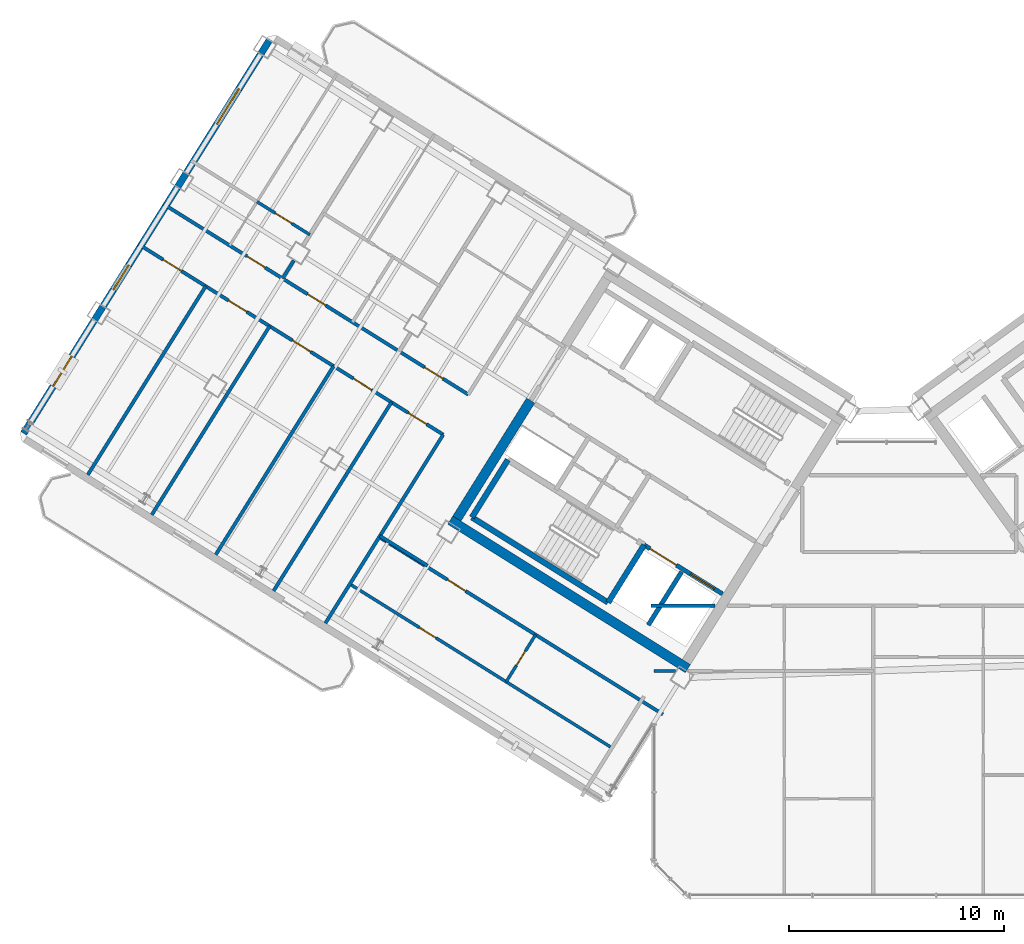
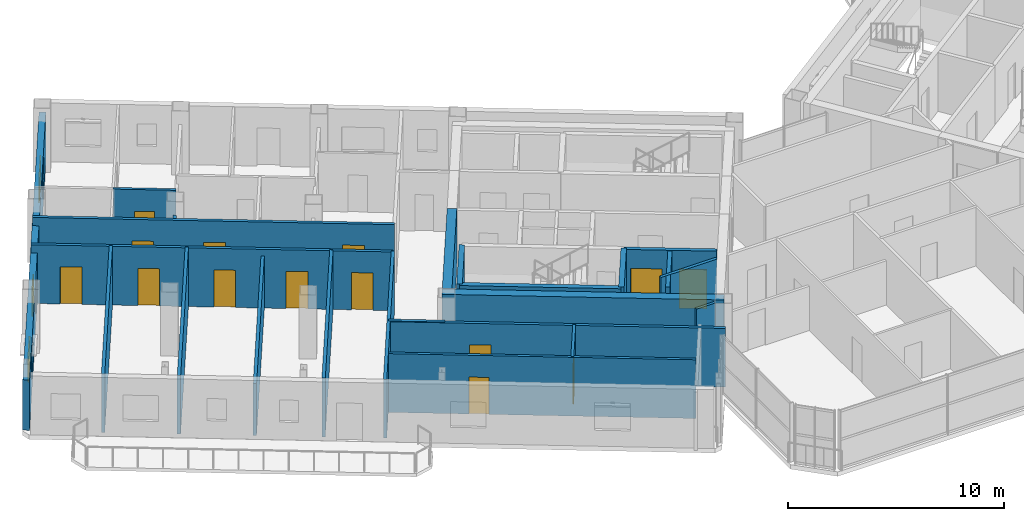
# One storey, part 16 of 27: 23 walls, 14 doors, 3 windows, 17 openings.
"""IFC4 building model written with IfcOpenShell, lengths in metres."""

from ifc_helpers import new_model, si_unit, direction, frame, frame_2d, origin, place, context, subcontext, project, spatial, rectangle, extrude, source, transform, mapped, material, layer, layer_set, type_object, element, fill, save


model = new_model("IFC4")

# Units and contexts
model_context = context("Model", 3, precision=1e-05, world=origin(), true_north=direction((0.0, 1.0)))
body_context = subcontext(model_context, "Body", "Model", "MODEL_VIEW")
ifc_project = project(units=[si_unit("LENGTHUNIT", "METRE"), si_unit("AREAUNIT", "SQUARE_METRE"), si_unit("VOLUMEUNIT", "CUBIC_METRE"), si_unit("PLANEANGLEUNIT", "RADIAN"), si_unit("MASSUNIT", "GRAM", prefix="KILO")], contexts=[model_context])

# Site, building, storey
site_placement = place(None, origin())
site = spatial("IfcSite", under=ifc_project, at=site_placement, CompositionType="ELEMENT")
building_placement = place(site_placement, origin())
building = spatial("IfcBuilding", under=site, at=building_placement, Name="Tlacorven Tower", CompositionType="ELEMENT")
storey_placement = place(building_placement, frame((0.0, 0.0, 242.10009765625)))
storey = spatial("IfcBuildingStorey", under=building, at=storey_placement, Name="L61", CompositionType="ELEMENT", Elevation=242.10009765625)

# Walls
ifc_material_1 = material(Name="Concrete C50/60", Category="concrete")
ifc_layer_1 = layer(ifc_material_1, 0.449951171875)
ifc_layer_set_1 = layer_set([ifc_layer_1], Name="Concrete C50/60")
wall_type_1 = type_object("IfcWallType", Name="WL-COR-450", PredefinedType="SHEAR", material=ifc_layer_set_1)
wall_1_placement = place(storey_placement, frame((33.32373046875, 12.5029296875, 0.0), z_axis=(0.0, 0.0, 1.0), x_axis=(-0.848043529849, 0.529926571782, 0.0)))
element("IfcWall", 1, at=wall_1_placement, inside=storey, type_object=wall_type_1, Name="L61 W core shear wall S2", PredefinedType="SHEAR", context=body_context, shape_type="SweptSolid", body=[
    extrude(rectangle(XDim=13.039794921875, YDim=0.449951171875, at=frame_2d((6.52001953125, 0.0))), origin(), (0.0, 0.0, 1.0), 3.31982421875),
])
wall_2_placement = place(storey_placement, frame((26.006591796875, 24.975830078125, 0.0), z_axis=(0.0, 0.0, 1.0), x_axis=(-0.529931155655, -0.848040665456, 0.0)))
element("IfcWall", 2, at=wall_2_placement, inside=storey, type_object=wall_type_1, Name="L61 W core end wall E2.2", PredefinedType="SHEAR", context=body_context, shape_type="SweptSolid", body=[
    extrude(rectangle(XDim=6.47509765625, YDim=0.449951171875, at=frame_2d((3.237548828125, 0.0))), origin(), (0.0, 0.0, 1.0), 3.31982421875),
])
ifc_material_2 = material(Name="Gypsum plasterboard acoustic partition", Category="gypsum")
ifc_layer_2 = layer(ifc_material_2, 0.159912109375)
ifc_layer_set_2 = layer_set([ifc_layer_2], Name="Gypsum plasterboard acoustic partition")
wall_type_2 = type_object("IfcWallType", Name="WL-DEM-160", PredefinedType="PARTITIONING", material=ifc_layer_set_2)
wall_3_placement = place(storey_placement, frame((21.20556640625, 17.29248046875, 0.0), z_axis=(0.0, 0.0, 1.0), x_axis=(-0.848050851465, 0.529914854792, 0.0)))
element("IfcWall", 3, at=wall_3_placement, inside=storey, type_object=wall_type_2, Name="L61 partition 39", PredefinedType="PARTITIONING", context=body_context, shape_type="SweptSolid", body=[
    extrude(rectangle(XDim=2.60986328125, YDim=0.159912109375, at=frame_2d((1.304931640625, 0.0))), origin(), (0.0, 0.0, 1.0), 3.309814453125),
])
wall_4_placement = place(storey_placement, frame((21.9384765625, 23.390625, 0.0), z_axis=(0.0, 0.0, 1.0), x_axis=(-0.529924725692, -0.848044683434, 0.0)))
element("IfcWall", 4, at=wall_4_placement, inside=storey, type_object=wall_type_2, Name="L61 partition 41", PredefinedType="PARTITIONING", context=body_context, shape_type="SweptSolid", body=[
    extrude(rectangle(XDim=10.349853515625, YDim=0.159912109375, at=frame_2d((5.1748046875, 0.0))), origin(), (0.0, 0.0, 1.0), 3.309814453125),
])

# Wall, openings, doors
wall_5_placement = place(storey_placement, frame((23.104248046875, 25.25634765625, 0.0), z_axis=(0.0, 0.0, 1.0), x_axis=(-0.848041752158, 0.529929416617, 0.0)))
wall_5 = element("IfcWall", 5, at=wall_5_placement, inside=storey, type_object=wall_type_2, Name="L61 Wing W Corridor South Wall", PredefinedType="PARTITIONING", context=body_context, shape_type="SweptSolid", body=[
    extrude(rectangle(XDim=16.72998046875, YDim=0.159912109375, at=frame_2d((8.364990234375, 0.0))), origin(), (0.0, 0.0, 1.0), 3.309814453125),
])
opening_1_placement = place(wall_5_placement, frame((1.39501953125, 0.0, 0.0)))
opening_1 = element("IfcOpeningElement", 6, at=opening_1_placement, cuts=wall_5, Name="Opening D11", PredefinedType="OPENING", context=body_context, shape_type="SweptSolid", body=[
    extrude(rectangle(XDim=1.0, YDim=2.10009765625, at=frame_2d((0.5, 1.050048828125))), frame((0.0, 0.08984375, 0.0), z_axis=(0.0, -1.0, 0.0), x_axis=(1.0, 0.0, 0.0)), (0.0, 0.0, 1.0), 0.179931640625),
])
opening_2_placement = place(wall_5_placement, frame((7.820068359375, 0.0, 0.0)))
opening_2 = element("IfcOpeningElement", 7, at=opening_2_placement, cuts=wall_5, Name="Opening D11", PredefinedType="OPENING", context=body_context, shape_type="SweptSolid", body=[
    extrude(rectangle(XDim=1.0, YDim=2.10009765625, at=frame_2d((0.5, 1.050048828125))), frame((0.0, 0.08984375, 0.0), z_axis=(0.0, -1.0, 0.0), x_axis=(1.0, 0.0, 0.0)), (0.0, 0.0, 1.0), 0.179931640625),
])
opening_3_placement = place(wall_5_placement, frame((11.139892578125, 0.0, 0.0)))
opening_3 = element("IfcOpeningElement", 8, at=opening_3_placement, cuts=wall_5, Name="Opening D11", PredefinedType="OPENING", context=body_context, shape_type="SweptSolid", body=[
    extrude(rectangle(XDim=1.0, YDim=2.10009765625, at=frame_2d((0.5, 1.050048828125))), frame((0.0, 0.08984375, 0.0), z_axis=(0.0, -1.0, 0.0), x_axis=(1.0, 0.0, 0.0)), (0.0, 0.0, 1.0), 0.179931640625),
])
ifc_material_3 = material(Name="Fire-rated steel door assembly", Category="steel")
door_type_1 = type_object("IfcDoorType", Name="DR-FLT-FD60-1000", OperationType="NOTDEFINED", PredefinedType="DOOR", material=ifc_material_3)
shared_shape_1 = source(origin(), body_context, "Body", "SweptSolid", [
    extrude(rectangle(XDim=1.0, YDim=2.10009765625, at=frame_2d((0.5, 1.050048828125))), frame((0.0, 0.02490234375, 0.0), z_axis=(0.0, -1.0, 0.0), x_axis=(1.0, 0.0, 0.0)), (0.0, 0.0, 1.0), 0.050048828125),
])
door_1_placement = place(opening_1_placement, origin())
door_1 = element("IfcDoor", 9, at=door_1_placement, inside=storey, type_object=door_type_1, Name="L61 door 028", OperationType="SINGLE_SWING_RIGHT", OverallHeight=2.10009765625, OverallWidth=1.0, PredefinedType="DOOR", context=body_context, shape_type="MappedRepresentation", body=[
    mapped(shared_shape_1, transform((0.0, 0.0, 0.0), scale=1.0)),
])
fill(opening_1, door_1)
door_2_placement = place(opening_2_placement, origin())
door_2 = element("IfcDoor", 10, at=door_2_placement, inside=storey, type_object=door_type_1, Name="L61 door 031", OperationType="SINGLE_SWING_LEFT", OverallHeight=2.10009765625, OverallWidth=1.0, PredefinedType="DOOR", context=body_context, shape_type="MappedRepresentation", body=[
    mapped(shared_shape_1, transform((0.0, 0.0, 0.0), scale=1.0)),
])
fill(opening_2, door_2)
door_3_placement = place(opening_3_placement, origin())
door_3 = element("IfcDoor", 11, at=door_3_placement, inside=storey, type_object=door_type_1, Name="L61 door 035", OperationType="SINGLE_SWING_LEFT", OverallHeight=2.10009765625, OverallWidth=1.0, PredefinedType="DOOR", context=body_context, shape_type="MappedRepresentation", body=[
    mapped(shared_shape_1, transform((0.0, 0.0, 0.0), scale=1.0)),
])
fill(opening_3, door_3)

wall_6_placement = place(storey_placement, frame((21.9384765625, 23.390625, 0.0), z_axis=(0.0, 0.0, 1.0), x_axis=(-0.848045850158, 0.529922858565, 0.0)))
wall_6 = element("IfcWall", 12, at=wall_6_placement, inside=storey, type_object=wall_type_2, Name="L61 Wing W Corridor North Wall", PredefinedType="PARTITIONING", context=body_context, shape_type="SweptSolid", body=[
    extrude(rectangle(XDim=16.730224609375, YDim=0.159912109375, at=frame_2d((8.365234375, 0.0))), origin(), (0.0, 0.0, 1.0), 3.309814453125),
])
opening_4_placement = place(wall_6_placement, frame((0.92041015625, 0.0, 0.0)))
opening_4 = element("IfcOpeningElement", 13, at=opening_4_placement, cuts=wall_6, Name="Opening D11", PredefinedType="OPENING", context=body_context, shape_type="SweptSolid", body=[
    extrude(rectangle(XDim=1.0, YDim=2.10009765625, at=frame_2d((0.5, 1.050048828125))), frame((0.0, 0.08984375, 0.0), z_axis=(0.0, -1.0, 0.0), x_axis=(1.0, 0.0, 0.0)), (0.0, 0.0, 1.0), 0.179931640625),
])
opening_5_placement = place(wall_6_placement, frame((3.928466796875, 0.0, 0.0)))
opening_5 = element("IfcOpeningElement", 14, at=opening_5_placement, cuts=wall_6, Name="Opening D11", PredefinedType="OPENING", context=body_context, shape_type="SweptSolid", body=[
    extrude(rectangle(XDim=1.0, YDim=2.10009765625, at=frame_2d((0.5, 1.050048828125))), frame((0.0, 0.08984375, 0.0), z_axis=(0.0, -1.0, 0.0), x_axis=(1.0, 0.0, 0.0)), (0.0, 0.0, 1.0), 0.179931640625),
])
opening_6_placement = place(wall_6_placement, frame((7.2705078125, 0.0, 0.0)))
opening_6 = element("IfcOpeningElement", 15, at=opening_6_placement, cuts=wall_6, Name="Opening D11", PredefinedType="OPENING", context=body_context, shape_type="SweptSolid", body=[
    extrude(rectangle(XDim=1.0, YDim=2.10009765625, at=frame_2d((0.5, 1.050048828125))), frame((0.0, 0.08984375, 0.0), z_axis=(0.0, -1.0, 0.0), x_axis=(1.0, 0.0, 0.0)), (0.0, 0.0, 1.0), 0.179931640625),
])
opening_7_placement = place(wall_6_placement, frame((10.779541015625, 0.0, 0.0)))
opening_7 = element("IfcOpeningElement", 16, at=opening_7_placement, cuts=wall_6, Name="Opening D11", PredefinedType="OPENING", context=body_context, shape_type="SweptSolid", body=[
    extrude(rectangle(XDim=1.0, YDim=2.10009765625, at=frame_2d((0.5, 1.050048828125))), frame((0.0, 0.08984375, 0.0), z_axis=(0.0, -1.0, 0.0), x_axis=(1.0, 0.0, 0.0)), (0.0, 0.0, 1.0), 0.179931640625),
])
opening_8_placement = place(wall_6_placement, frame((14.3720703125, 0.0, 0.0)))
opening_8 = element("IfcOpeningElement", 17, at=opening_8_placement, cuts=wall_6, Name="Opening D11", PredefinedType="OPENING", context=body_context, shape_type="SweptSolid", body=[
    extrude(rectangle(XDim=1.0, YDim=2.10009765625, at=frame_2d((0.5, 1.050048828125))), frame((0.0, 0.08984375, 0.0), z_axis=(0.0, -1.0, 0.0), x_axis=(1.0, 0.0, 0.0)), (0.0, 0.0, 1.0), 0.179931640625),
])
door_4_placement = place(opening_4_placement, origin())
door_4 = element("IfcDoor", 18, at=door_4_placement, inside=storey, type_object=door_type_1, Name="L61 door 023", OperationType="SINGLE_SWING_LEFT", OverallHeight=2.10009765625, OverallWidth=1.0, PredefinedType="DOOR", context=body_context, shape_type="MappedRepresentation", body=[
    mapped(shared_shape_1, transform((0.0, 0.0, 0.0), scale=1.0)),
])
fill(opening_4, door_4)
door_5_placement = place(opening_5_placement, origin())
door_5 = element("IfcDoor", 19, at=door_5_placement, inside=storey, type_object=door_type_1, Name="L61 door 024", OperationType="SINGLE_SWING_RIGHT", OverallHeight=2.10009765625, OverallWidth=1.0, PredefinedType="DOOR", context=body_context, shape_type="MappedRepresentation", body=[
    mapped(shared_shape_1, transform((0.0, 0.0, 0.0), scale=1.0)),
])
fill(opening_5, door_5)
door_6_placement = place(opening_6_placement, origin())
door_6 = element("IfcDoor", 20, at=door_6_placement, inside=storey, type_object=door_type_1, Name="L61 door 025", OperationType="SINGLE_SWING_LEFT", OverallHeight=2.10009765625, OverallWidth=1.0, PredefinedType="DOOR", context=body_context, shape_type="MappedRepresentation", body=[
    mapped(shared_shape_1, transform((0.0, 0.0, 0.0), scale=1.0)),
])
fill(opening_6, door_6)
door_7_placement = place(opening_7_placement, origin())
door_7 = element("IfcDoor", 21, at=door_7_placement, inside=storey, type_object=door_type_1, Name="L61 door 026", OperationType="SINGLE_SWING_RIGHT", OverallHeight=2.10009765625, OverallWidth=1.0, PredefinedType="DOOR", context=body_context, shape_type="MappedRepresentation", body=[
    mapped(shared_shape_1, transform((0.0, 0.0, 0.0), scale=1.0)),
])
fill(opening_7, door_7)
door_8_placement = place(opening_8_placement, origin())
door_8 = element("IfcDoor", 22, at=door_8_placement, inside=storey, type_object=door_type_1, Name="L61 door 027", OperationType="SINGLE_SWING_LEFT", OverallHeight=2.10009765625, OverallWidth=1.0, PredefinedType="DOOR", context=body_context, shape_type="MappedRepresentation", body=[
    mapped(shared_shape_1, transform((0.0, 0.0, 0.0), scale=1.0)),
])
fill(opening_8, door_8)

# Walls
wall_7_placement = place(storey_placement, frame((19.529052734375, 24.896240234375, 0.0), z_axis=(0.0, 0.0, 1.0), x_axis=(-0.529914125013, -0.848051307476, 0.0)))
element("IfcWall", 23, at=wall_7_placement, inside=storey, type_object=wall_type_2, Name="L61 partition 45", PredefinedType="PARTITIONING", context=body_context, shape_type="SweptSolid", body=[
    extrude(rectangle(XDim=10.35009765625, YDim=0.159912109375, at=frame_2d((5.175048828125, 0.0))), origin(), (0.0, 0.0, 1.0), 3.309814453125),
])
wall_8_placement = place(storey_placement, frame((16.836669921875, 26.57861328125, 0.0), z_axis=(0.0, 0.0, 1.0), x_axis=(-0.529941690036, -0.848034082547, 0.0)))
element("IfcWall", 24, at=wall_8_placement, inside=storey, type_object=wall_type_2, Name="L61 partition 46", PredefinedType="PARTITIONING", context=body_context, shape_type="SweptSolid", body=[
    extrude(rectangle(XDim=10.349853515625, YDim=0.159912109375, at=frame_2d((5.1748046875, 0.0))), origin(), (0.0, 0.0, 1.0), 2.934814453125),
])
wall_9_placement = place(storey_placement, frame((13.86083984375, 28.438232421875, 0.0), z_axis=(0.0, 0.0, 1.0), x_axis=(-0.529931089283, -0.848040706931, 0.0)))
element("IfcWall", 25, at=wall_9_placement, inside=storey, type_object=wall_type_2, Name="L61 partition 47", PredefinedType="PARTITIONING", context=body_context, shape_type="SweptSolid", body=[
    extrude(rectangle(XDim=10.35009765625, YDim=0.159912109375, at=frame_2d((5.175048828125, 0.0))), origin(), (0.0, 0.0, 1.0), 3.309814453125),
])
wall_10_placement = place(storey_placement, frame((10.885009765625, 30.297607421875, 0.0), z_axis=(0.0, 0.0, 1.0), x_axis=(-0.529924725692, -0.848044683434, 0.0)))
element("IfcWall", 26, at=wall_10_placement, inside=storey, type_object=wall_type_2, Name="L61 partition 48", PredefinedType="PARTITIONING", context=body_context, shape_type="SweptSolid", body=[
    extrude(rectangle(XDim=10.349853515625, YDim=0.159912109375, at=frame_2d((5.1748046875, 0.0))), origin(), (0.0, 0.0, 1.0), 3.309814453125),
])
wall_11_placement = place(storey_placement, frame((14.986083984375, 31.494140625, 0.0), z_axis=(0.0, 0.0, 1.0), x_axis=(-0.529821225456, -0.848109349704, 0.0)))
element("IfcWall", 27, at=wall_11_placement, inside=storey, type_object=wall_type_2, Name="L61 WS Demising Wall 2", PredefinedType="PARTITIONING", context=body_context, shape_type="SweptSolid", body=[
    extrude(rectangle(XDim=0.988037109375, YDim=0.159912109375, at=frame_2d((0.494140625, 0.0))), origin(), (0.0, 0.0, 1.0), 2.844970703125),
])

# Wall, opening, door
wall_12_placement = place(storey_placement, frame((32.164306640625, 10.373779296875, 0.0), z_axis=(0.0, 0.0, 1.0), x_axis=(-0.848044107957, 0.529925646633, 0.0)))
wall_12 = element("IfcWall", 28, at=wall_12_placement, inside=storey, type_object=wall_type_2, Name="L61 partition 59", PredefinedType="PARTITIONING", context=body_context, shape_type="SweptSolid", body=[
    extrude(rectangle(XDim=15.570068359375, YDim=0.159912109375, at=frame_2d((7.78515625, 0.0))), origin(), (0.0, 0.0, 1.0), 3.309814453125),
])
opening_9_placement = place(wall_12_placement, frame((10.830078125, 0.0, 0.0)))
opening_9 = element("IfcOpeningElement", 29, at=opening_9_placement, cuts=wall_12, Name="Opening D11", PredefinedType="OPENING", context=body_context, shape_type="SweptSolid", body=[
    extrude(rectangle(XDim=1.0, YDim=2.10009765625, at=frame_2d((0.5, 1.050048828125))), frame((0.0, 0.08984375, 0.0), z_axis=(0.0, -1.0, 0.0), x_axis=(1.0, 0.0, 0.0)), (0.0, 0.0, 1.0), 0.179931640625),
])
door_9_placement = place(opening_9_placement, origin())
door_9 = element("IfcDoor", 30, at=door_9_placement, inside=storey, type_object=door_type_1, Name="L61 door 039", OperationType="SINGLE_SWING_LEFT", OverallHeight=2.10009765625, OverallWidth=1.0, PredefinedType="DOOR", context=body_context, shape_type="MappedRepresentation", body=[
    mapped(shared_shape_1, transform((0.0, 0.0, 0.0), scale=1.0)),
])
fill(opening_9, door_9)

# Wall
wall_13_placement = place(storey_placement, frame((31.60009765625, 15.419921875, 0.0), z_axis=(0.0, 0.0, 1.0), x_axis=(1.0, 0.0, 0.0)))
element("IfcWall", 31, at=wall_13_placement, inside=storey, type_object=wall_type_2, Name="L61 Knuckle Corridor South Wall", PredefinedType="PARTITIONING", context=body_context, shape_type="SweptSolid", body=[
    extrude(rectangle(XDim=2.984130859375, YDim=0.159912109375, at=frame_2d((1.4921875, 0.0))), origin(), (0.0, 0.0, 1.0), 3.309814453125),
])

# Wall, openings, windows
ifc_material_4 = material(Name="Precast concrete C45/55", Category="concrete")
ifc_layer_3 = layer(ifc_material_4, 0.320068359375)
ifc_layer_set_3 = layer_set([ifc_layer_3], Name="Precast concrete C45/55")
wall_type_3 = type_object("IfcWallType", Name="WL-EXT-320", PredefinedType="STANDARD", material=ifc_layer_set_3)
wall_14_placement = place(storey_placement, frame((2.41455078125, 23.452392578125, 0.0), z_axis=(0.0, 0.0, 1.0), x_axis=(0.52991049553, 0.848053575387, 0.0)))
wall_14 = element("IfcWall", 32, at=wall_14_placement, inside=storey, type_object=wall_type_3, Name="L61 Masonry-Frame Recessed Facade Wall 2", PredefinedType="STANDARD", context=body_context, shape_type="SweptSolid", body=[
    extrude(rectangle(XDim=21.58740234375, YDim=0.320068359375, at=frame_2d((10.793701171875, 0.0))), origin(), (0.0, 0.0, 1.0), 2.844970703125),
])
opening_10_placement = place(wall_14_placement, frame((2.581298828125, 0.0, 0.89990234375)))
opening_10 = element("IfcOpeningElement", 33, at=opening_10_placement, cuts=wall_14, Name="Opening WN07", PredefinedType="OPENING", context=body_context, shape_type="SweptSolid", body=[
    extrude(rectangle(XDim=1.64990234375, YDim=1.449951171875, at=frame_2d((0.824951171875, 0.72509765625))), frame((0.0, 0.169921875, 0.0), z_axis=(0.0, -1.0, 0.0), x_axis=(1.0, 0.0, 0.0)), (0.0, 0.0, 1.0), 0.340087890625),
])
opening_11_placement = place(wall_14_placement, frame((7.878662109375, 0.0, 0.89990234375)))
opening_11 = element("IfcOpeningElement", 34, at=opening_11_placement, cuts=wall_14, Name="Opening WN08", PredefinedType="OPENING", context=body_context, shape_type="SweptSolid", body=[
    extrude(rectangle(XDim=1.35009765625, YDim=1.449951171875, at=frame_2d((0.675048828125, 0.72509765625))), frame((0.0, 0.169921875, 0.0), z_axis=(0.0, -1.0, 0.0), x_axis=(1.0, 0.0, 0.0)), (0.0, 0.0, 1.0), 0.340087890625),
])
opening_12_placement = place(wall_14_placement, frame((16.95361328125, 0.0, 0.949951171875)))
opening_12 = element("IfcOpeningElement", 35, at=opening_12_placement, cuts=wall_14, Name="Opening WN09", PredefinedType="OPENING", context=body_context, shape_type="SweptSolid", body=[
    extrude(rectangle(XDim=1.949951171875, YDim=1.35009765625, at=frame_2d((0.97509765625, 0.675048828125))), frame((0.0, 0.169921875, 0.0), z_axis=(0.0, -1.0, 0.0), x_axis=(1.0, 0.0, 0.0)), (0.0, 0.0, 1.0), 0.340087890625),
])
ifc_material_5 = material(Name="Dark solar low-E double glazing in anodised aluminium frame", Category="aluminium")
window_type_1 = type_object("IfcWindowType", Name="WN-APT-1650X1600", PartitioningType="SINGLE_PANEL", PredefinedType="WINDOW", material=ifc_material_5)
shared_shape_2 = source(origin(), body_context, "Body", "SweptSolid", [
    extrude(rectangle(XDim=1.64990234375, YDim=1.449951171875, at=frame_2d((0.824951171875, 0.72509765625))), frame((0.0, 0.030029296875, 0.0), z_axis=(0.0, -1.0, 0.0), x_axis=(1.0, 0.0, 0.0)), (0.0, 0.0, 1.0), 0.06005859375),
])
window_1_placement = place(opening_10_placement, origin())
window_1 = element("IfcWindow", 36, at=window_1_placement, inside=storey, type_object=window_type_1, Name="L61 Recessed Masonry-Frame Window L61-02.1", OverallHeight=1.449951171875, OverallWidth=1.64990234375, PartitioningType="SINGLE_PANEL", PredefinedType="WINDOW", context=body_context, shape_type="MappedRepresentation", body=[
    mapped(shared_shape_2, transform((0.0, 0.0, 0.0), scale=1.0)),
])
fill(opening_10, window_1)
window_type_2 = type_object("IfcWindowType", Name="WN-APT-1350X1550", PartitioningType="SINGLE_PANEL", PredefinedType="WINDOW", material=ifc_material_5)
shared_shape_3 = source(origin(), body_context, "Body", "SweptSolid", [
    extrude(rectangle(XDim=1.35009765625, YDim=1.449951171875, at=frame_2d((0.675048828125, 0.72509765625))), frame((0.0, 0.030029296875, 0.0), z_axis=(0.0, -1.0, 0.0), x_axis=(1.0, 0.0, 0.0)), (0.0, 0.0, 1.0), 0.06005859375),
])
window_2_placement = place(opening_11_placement, origin())
window_2 = element("IfcWindow", 37, at=window_2_placement, inside=storey, type_object=window_type_2, Name="L61 Recessed Masonry-Frame Window L61-02.2", OverallHeight=1.449951171875, OverallWidth=1.35009765625, PartitioningType="SINGLE_PANEL", PredefinedType="WINDOW", context=body_context, shape_type="MappedRepresentation", body=[
    mapped(shared_shape_3, transform((0.0, 0.0, 0.0), scale=1.0)),
])
fill(opening_11, window_2)
window_type_3 = type_object("IfcWindowType", Name="WN-GAL-1950X1450", PartitioningType="SINGLE_PANEL", PredefinedType="WINDOW", material=ifc_material_5)
shared_shape_4 = source(origin(), body_context, "Body", "SweptSolid", [
    extrude(rectangle(XDim=1.949951171875, YDim=1.35009765625, at=frame_2d((0.97509765625, 0.675048828125))), frame((0.0, 0.030029296875, 0.0), z_axis=(0.0, -1.0, 0.0), x_axis=(1.0, 0.0, 0.0)), (0.0, 0.0, 1.0), 0.06005859375),
])
window_3_placement = place(opening_12_placement, origin())
window_3 = element("IfcWindow", 38, at=window_3_placement, inside=storey, type_object=window_type_3, Name="L61 Recessed Masonry-Frame Window L61-02.3", OverallHeight=1.35009765625, OverallWidth=1.949951171875, PartitioningType="SINGLE_PANEL", PredefinedType="WINDOW", context=body_context, shape_type="MappedRepresentation", body=[
    mapped(shared_shape_4, transform((0.0, 0.0, 0.0), scale=1.0)),
])
fill(opening_12, window_3)

# Wall, opening, door
ifc_material_6 = material(Name="Moisture-resistant gypsum plumbing wall", Category="gypsum")
ifc_layer_4 = layer(ifc_material_6, 0.139892578125)
ifc_layer_set_4 = layer_set([ifc_layer_4], Name="Moisture-resistant gypsum plumbing wall")
wall_type_4 = type_object("IfcWallType", Name="WL-PLM-140", PredefinedType="PLUMBINGWALL", material=ifc_layer_set_4)
wall_15_placement = place(storey_placement, frame((15.734375, 32.691650390625, 0.0), z_axis=(0.0, 0.0, 1.0), x_axis=(-0.848059786386, 0.529900555496, 0.0)))
wall_15 = element("IfcWall", 39, at=wall_15_placement, inside=storey, type_object=wall_type_4, Name="L61 partition 57", PredefinedType="PLUMBINGWALL", context=body_context, shape_type="SweptSolid", body=[
    extrude(rectangle(XDim=2.89990234375, YDim=0.139892578125, at=frame_2d((1.449951171875, 0.0))), origin(), (0.0, 0.0, 1.0), 3.309814453125),
])
opening_13_placement = place(wall_15_placement, frame((0.989990234375, 0.0, 0.0)))
opening_13 = element("IfcOpeningElement", 40, at=opening_13_placement, cuts=wall_15, Name="Opening D12", PredefinedType="OPENING", context=body_context, shape_type="SweptSolid", body=[
    extrude(rectangle(XDim=0.919921875, YDim=2.080078125, at=frame_2d((0.4599609375, 1.0400390625))), frame((0.0, 0.080078125, 0.0), z_axis=(0.0, -1.0, 0.0), x_axis=(1.0, 0.0, 0.0)), (0.0, 0.0, 1.0), 0.159912109375),
])
ifc_material_7 = material(Name="Powder-coated aluminium and timber door", Category="wood")
door_type_2 = type_object("IfcDoorType", Name="DR-INT-ROOM-0920", OperationType="NOTDEFINED", PredefinedType="DOOR", material=ifc_material_7)
shared_shape_5 = source(origin(), body_context, "Body", "SweptSolid", [
    extrude(rectangle(XDim=0.919921875, YDim=2.080078125, at=frame_2d((0.4599609375, 1.0400390625))), frame((0.0, 0.02490234375, 0.0), z_axis=(0.0, -1.0, 0.0), x_axis=(1.0, 0.0, 0.0)), (0.0, 0.0, 1.0), 0.050048828125),
])
door_10_placement = place(opening_13_placement, origin())
door_10 = element("IfcDoor", 41, at=door_10_placement, inside=storey, type_object=door_type_2, Name="L61 door 036", OperationType="SINGLE_SWING_RIGHT", OverallHeight=2.080078125, OverallWidth=0.919921875, PredefinedType="DOOR", context=body_context, shape_type="MappedRepresentation", body=[
    mapped(shared_shape_5, transform((0.0, 0.0, 0.0), scale=1.0)),
])
fill(opening_13, door_10)

wall_16_placement = place(storey_placement, frame((29.72021484375, 8.85888671875, 0.0), z_axis=(0.0, 0.0, 1.0), x_axis=(-0.848049134363, 0.529917602752, 0.0)))
wall_16 = element("IfcWall", 42, at=wall_16_placement, inside=storey, type_object=wall_type_4, Name="L61 partition 61", PredefinedType="PLUMBINGWALL", context=body_context, shape_type="SweptSolid", body=[
    extrude(rectangle(XDim=14.300048828125, YDim=0.139892578125, at=frame_2d((7.14990234375, 0.0))), origin(), (0.0, 0.0, 1.0), 3.309814453125),
])
opening_14_placement = place(wall_16_placement, frame((9.570068359375, 0.0, 0.0)))
opening_14 = element("IfcOpeningElement", 43, at=opening_14_placement, cuts=wall_16, Name="Opening D12", PredefinedType="OPENING", context=body_context, shape_type="SweptSolid", body=[
    extrude(rectangle(XDim=0.919921875, YDim=2.080078125, at=frame_2d((0.4599609375, 1.0400390625))), frame((0.0, 0.080078125, 0.0), z_axis=(0.0, -1.0, 0.0), x_axis=(1.0, 0.0, 0.0)), (0.0, 0.0, 1.0), 0.159912109375),
])
door_11_placement = place(opening_14_placement, origin())
door_11 = element("IfcDoor", 44, at=door_11_placement, inside=storey, type_object=door_type_2, Name="L61 door 040", OperationType="SINGLE_SWING_RIGHT", OverallHeight=2.080078125, OverallWidth=0.919921875, PredefinedType="DOOR", context=body_context, shape_type="MappedRepresentation", body=[
    mapped(shared_shape_5, transform((0.0, 0.0, 0.0), scale=1.0)),
])
fill(opening_14, door_11)

wall_17_placement = place(storey_placement, frame((26.236572265625, 14.077880859375, 0.0), z_axis=(0.0, 0.0, 1.0), x_axis=(-0.52995640672, -0.848024885824, 0.0)))
wall_17 = element("IfcWall", 45, at=wall_17_placement, inside=storey, type_object=wall_type_4, Name="L61 partition 62", PredefinedType="PLUMBINGWALL", context=body_context, shape_type="SweptSolid", body=[
    extrude(rectangle(XDim=2.579833984375, YDim=0.139892578125, at=frame_2d((1.2900390625, 0.0))), origin(), (0.0, 0.0, 1.0), 3.309814453125),
])
opening_15_placement = place(wall_17_placement, frame((0.89990234375, 0.0, 0.0)))
opening_15 = element("IfcOpeningElement", 46, at=opening_15_placement, cuts=wall_17, Name="Opening D22", PredefinedType="OPENING", context=body_context, shape_type="SweptSolid", body=[
    extrude(rectangle(XDim=0.780029296875, YDim=2.050048828125, at=frame_2d((0.39013671875, 1.02490234375))), frame((0.0, 0.080078125, 0.0), z_axis=(0.0, -1.0, 0.0), x_axis=(1.0, 0.0, 0.0)), (0.0, 0.0, 1.0), 0.159912109375),
])
door_type_3 = type_object("IfcDoorType", Name="DR-INT-WET-0780", OperationType="NOTDEFINED", PredefinedType="DOOR", material=ifc_material_7)
shared_shape_6 = source(origin(), body_context, "Body", "SweptSolid", [
    extrude(rectangle(XDim=0.780029296875, YDim=2.050048828125, at=frame_2d((0.39013671875, 1.02490234375))), frame((0.0, 0.02490234375, 0.0), z_axis=(0.0, -1.0, 0.0), x_axis=(1.0, 0.0, 0.0)), (0.0, 0.0, 1.0), 0.050048828125),
])
door_12_placement = place(opening_15_placement, origin())
door_12 = element("IfcDoor", 47, at=door_12_placement, inside=storey, type_object=door_type_3, Name="L61 door 041", OperationType="SINGLE_SWING_LEFT", OverallHeight=2.050048828125, OverallWidth=0.780029296875, PredefinedType="DOOR", context=body_context, shape_type="MappedRepresentation", body=[
    mapped(shared_shape_6, transform((0.0, 0.0, 0.0), scale=1.0)),
])
fill(opening_15, door_12)

# Wall
wall_18_placement = place(storey_placement, frame((31.739990234375, 12.389892578125, 0.0), z_axis=(0.0, 0.0, 1.0), x_axis=(1.0, 0.0, 0.0)))
element("IfcWall", 48, at=wall_18_placement, inside=storey, type_object=wall_type_4, Name="L61 partition 72", PredefinedType="PLUMBINGWALL", context=body_context, shape_type="SweptSolid", body=[
    extrude(rectangle(XDim=1.009765625, YDim=0.139892578125, at=frame_2d((0.5048828125, 0.0))), origin(), (0.0, 0.0, 1.0), 3.309814453125),
])

# Wall, openings, doors
ifc_material_8 = material(Name="Concrete C40/50", Category="concrete")
ifc_layer_5 = layer(ifc_material_8, 0.199951171875)
ifc_layer_set_5 = layer_set([ifc_layer_5], Name="Concrete C40/50")
wall_type_5 = type_object("IfcWallType", Name="WL-SHF-200", PredefinedType="STANDARD", material=ifc_layer_set_5)
wall_19_placement = place(storey_placement, frame((34.93310546875, 15.978271484375, 0.0), z_axis=(0.0, 0.0, 1.0), x_axis=(-0.848055739377, 0.529907032327, 0.0)))
wall_19 = element("IfcWall", 49, at=wall_19_placement, inside=storey, type_object=wall_type_5, Name="L61 Core W Firefighting Lift Shaft Front Wall", PredefinedType="STANDARD", context=body_context, shape_type="SweptSolid", body=[
    extrude(rectangle(XDim=4.298095703125, YDim=0.199951171875, at=frame_2d((2.14892578125, 0.0))), origin(), (0.0, 0.0, 1.0), 3.309814453125),
])
opening_16_placement = place(wall_19_placement, frame((0.447998046875, 0.0, 0.0)))
opening_16 = element("IfcOpeningElement", 50, at=opening_16_placement, cuts=wall_19, Name="Opening LD03", PredefinedType="OPENING", context=body_context, shape_type="SweptSolid", body=[
    extrude(rectangle(XDim=1.300048828125, YDim=2.199951171875, at=frame_2d((0.64990234375, 1.10009765625))), frame((0.0, 0.10986328125, 0.0), z_axis=(0.0, -1.0, 0.0), x_axis=(1.0, 0.0, 0.0)), (0.0, 0.0, 1.0), 0.219970703125),
])
opening_17_placement = place(wall_19_placement, frame((2.52294921875, 0.0, 0.0)))
opening_17 = element("IfcOpeningElement", 51, at=opening_17_placement, cuts=wall_19, Name="Opening LD04", PredefinedType="OPENING", context=body_context, shape_type="SweptSolid", body=[
    extrude(rectangle(XDim=1.449951171875, YDim=2.25, at=frame_2d((0.72509765625, 1.125))), frame((0.0, 0.10986328125, 0.0), z_axis=(0.0, -1.0, 0.0), x_axis=(1.0, 0.0, 0.0)), (0.0, 0.0, 1.0), 0.219970703125),
])
door_type_4 = type_object("IfcDoorType", Name="DR-LFT-SLID-1300", OperationType="DOUBLE_DOOR_SLIDING", PredefinedType="DOOR", material=ifc_material_3)
shared_shape_7 = source(origin(), body_context, "Body", "SweptSolid", [
    extrude(rectangle(XDim=1.300048828125, YDim=2.199951171875, at=frame_2d((0.64990234375, 1.10009765625))), frame((0.0, 0.02490234375, 0.0), z_axis=(0.0, -1.0, 0.0), x_axis=(1.0, 0.0, 0.0)), (0.0, 0.0, 1.0), 0.050048828125),
])
door_13_placement = place(opening_16_placement, origin())
door_13 = element("IfcDoor", 52, at=door_13_placement, inside=storey, type_object=door_type_4, Name="L61 Lift FFL-W1 Sliding Landing Door", OperationType="DOUBLE_DOOR_SLIDING", OverallHeight=2.199951171875, OverallWidth=1.300048828125, PredefinedType="DOOR", context=body_context, shape_type="MappedRepresentation", body=[
    mapped(shared_shape_7, transform((0.0, 0.0, 0.0), scale=1.0)),
])
fill(opening_16, door_13)
door_type_5 = type_object("IfcDoorType", Name="DR-LFT-SLID-1450", OperationType="DOUBLE_DOOR_SLIDING", PredefinedType="DOOR", material=ifc_material_3)
shared_shape_8 = source(origin(), body_context, "Body", "SweptSolid", [
    extrude(rectangle(XDim=1.449951171875, YDim=2.25, at=frame_2d((0.72509765625, 1.125))), frame((0.0, 0.02490234375, 0.0), z_axis=(0.0, -1.0, 0.0), x_axis=(1.0, 0.0, 0.0)), (0.0, 0.0, 1.0), 0.050048828125),
])
door_14_placement = place(opening_17_placement, origin())
door_14 = element("IfcDoor", 53, at=door_14_placement, inside=storey, type_object=door_type_5, Name="L61 Lift SVL-W1 Sliding Landing Door", OperationType="DOUBLE_DOOR_SLIDING", OverallHeight=2.25, OverallWidth=1.449951171875, PredefinedType="DOOR", context=body_context, shape_type="MappedRepresentation", body=[
    mapped(shared_shape_8, transform((0.0, 0.0, 0.0), scale=1.0)),
])
fill(opening_17, door_14)

# Walls
wall_20_placement = place(storey_placement, frame((33.02880859375, 17.003173828125, 0.0), z_axis=(0.0, 0.0, 1.0), x_axis=(-0.529916267533, -0.848049968695, 0.0)))
element("IfcWall", 54, at=wall_20_placement, inside=storey, type_object=wall_type_5, Name="L61 partition 11", PredefinedType="STANDARD", context=body_context, shape_type="SweptSolid", body=[
    extrude(rectangle(XDim=2.919921875, YDim=0.199951171875, at=frame_2d((1.4599609375, 0.0))), origin(), (0.0, 0.0, 1.0), 3.309814453125),
])
ifc_layer_6 = layer(ifc_material_1, 0.260009765625)
ifc_layer_set_6 = layer_set([ifc_layer_6], Name="Concrete C50/60")
wall_type_6 = type_object("IfcWallType", Name="WL-STW-260", PredefinedType="SHEAR", material=ifc_layer_set_6)
wall_21_placement = place(storey_placement, frame((29.60498046875, 15.581298828125, 0.0), z_axis=(0.0, 0.0, 1.0), x_axis=(-0.848036911448, 0.529937163087, 0.0)))
element("IfcWall", 55, at=wall_21_placement, inside=storey, type_object=wall_type_6, Name="L61 Stair W1 Far Shear Wall", PredefinedType="SHEAR", context=body_context, shape_type="SweptSolid", body=[
    extrude(rectangle(XDim=7.4599609375, YDim=0.260009765625, at=frame_2d((3.72998046875, 0.0))), origin(), (0.0, 0.0, 1.0), 3.31982421875),
])
wall_22_placement = place(storey_placement, frame((31.2880859375, 18.255859375, 0.0), z_axis=(0.0, 0.0, 1.0), x_axis=(-0.529943379326, -0.848033026897, 0.0)))
element("IfcWall", 56, at=wall_22_placement, inside=storey, type_object=wall_type_6, Name="L61 Stair W1 West Shear Wall", PredefinedType="SHEAR", context=body_context, shape_type="SweptSolid", body=[
    extrude(rectangle(XDim=3.159912109375, YDim=0.260009765625, at=frame_2d((1.580078125, 0.0))), origin(), (0.0, 0.0, 1.0), 3.31982421875),
])
wall_23_placement = place(storey_placement, frame((24.944580078125, 22.2197265625, 0.0), z_axis=(0.0, 0.0, 1.0), x_axis=(-0.529908658664, -0.84805472316, 0.0)))
element("IfcWall", 57, at=wall_23_placement, inside=storey, type_object=wall_type_6, Name="L61 Stair W1 East Shear Wall", PredefinedType="SHEAR", context=body_context, shape_type="SweptSolid", body=[
    extrude(rectangle(XDim=3.16015625, YDim=0.260009765625, at=frame_2d((1.580078125, 0.0))), origin(), (0.0, 0.0, 1.0), 3.31982421875),
])

save(model, "model.ifc")
